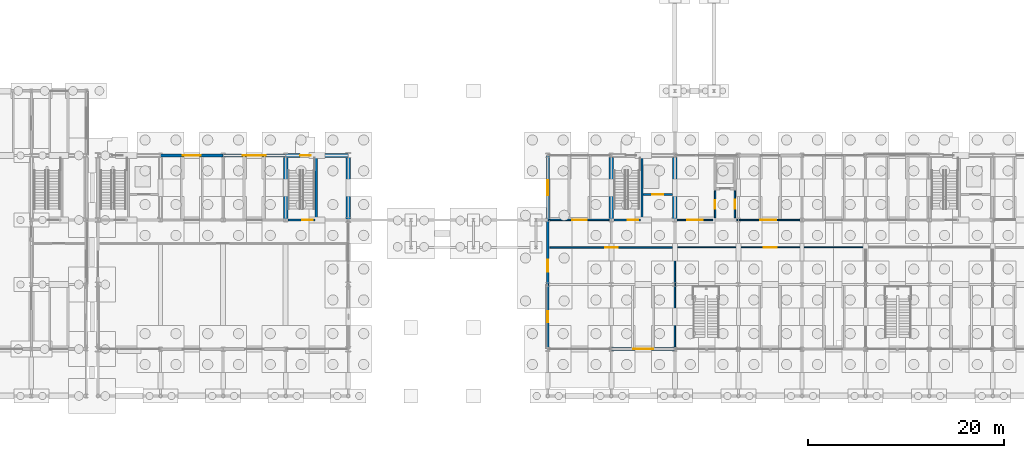
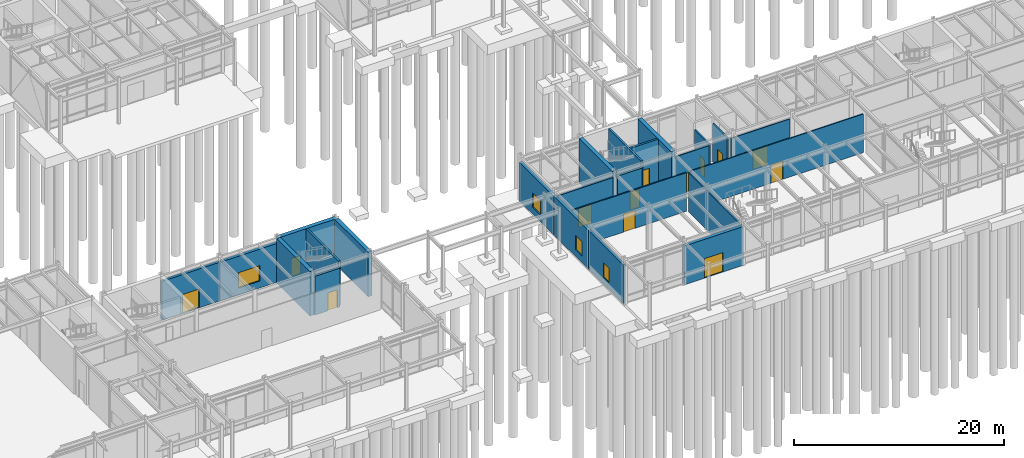
# One storey, part 69 of 82: 24 walls, 13 doors, 4 windows, 17 openings.
"""IFC4 building model written with IfcOpenShell, lengths in metres."""

from ifc_helpers import new_model, si_unit, direction, frame, frame_2d, origin, place, context, subcontext, project, spatial, rectangle, extrude, material, layer, layer_set, type_object, element, fill, save


model = new_model("IFC4")

# Units and contexts
model_context = context("Model", 3, precision=1e-05, world=origin(), true_north=direction((0.0, 1.0)))
body_context = subcontext(model_context, "Body", "Model", "MODEL_VIEW")
ifc_project = project(units=[si_unit("LENGTHUNIT", "METRE"), si_unit("AREAUNIT", "SQUARE_METRE"), si_unit("VOLUMEUNIT", "CUBIC_METRE"), si_unit("PLANEANGLEUNIT", "RADIAN"), si_unit("MASSUNIT", "GRAM", prefix="KILO")], contexts=[model_context])

# Site, building, storey
site_placement = place(None, origin())
site = spatial("IfcSite", under=ifc_project, at=site_placement, CompositionType="ELEMENT")
building_placement = place(site_placement, origin())
building = spatial("IfcBuilding", under=site, at=building_placement, Name="Trelmorton Wharf Fire Station", CompositionType="ELEMENT")
storey_placement = place(building_placement, origin())
storey = spatial("IfcBuildingStorey", under=building, at=storey_placement, Name="L00", CompositionType="ELEMENT", Elevation=0.0)

# Wall, opening, window
ifc_material_1 = material(Name="Precast concrete 45 MPa", Category="concrete")
ifc_layer_1 = layer(ifc_material_1, 0.22998046875)
ifc_layer_set_1 = layer_set([ifc_layer_1], Name="Precast concrete 45 MPa")
wall_type_1 = type_object("IfcWallType", Name="EW_PREC_230", PredefinedType="SOLIDWALL", material=ifc_layer_set_1)
wall_1_placement = place(storey_placement, frame((104.0, 7.804931640625, 0.0), z_axis=(0.0, 0.0, 1.0), x_axis=(0.0, 1.0, 0.0)))
wall_1 = element("IfcWall", 1, at=wall_1_placement, inside=storey, type_object=wall_type_1, Name="EW-V5-L00-0072", PredefinedType="SOLIDWALL", context=body_context, shape_type="SweptSolid", body=[
    extrude(rectangle(XDim=6.590087890625, YDim=0.22998046875, at=frame_2d((3.294921875, 0.0))), origin(), (0.0, 0.0, 1.0), 4.52001953125),
])
opening_1_placement = place(wall_1_placement, frame((2.7451171875, 0.0, 0.800048828125)))
opening_1 = element("IfcOpeningElement", 2, at=opening_1_placement, cuts=wall_1, Name="Opening W37", PredefinedType="OPENING", context=body_context, shape_type="SweptSolid", body=[
    extrude(rectangle(XDim=1.10009765625, YDim=1.64990234375, at=frame_2d((0.550048828125, 0.824951171875))), frame((0.0, 0.125, 0.0), z_axis=(0.0, -1.0, 0.0), x_axis=(1.0, 0.0, 0.0)), (0.0, 0.0, 1.0), 0.25),
])
ifc_material_2 = material(Name="Tempered low-E double glazing", Category="glass")
window_type_1 = type_object("IfcWindowType", Name="WIN_W37", PartitioningType="SINGLE_PANEL", PredefinedType="WINDOW", material=ifc_material_2)
window_1_placement = place(opening_1_placement, origin())
window_1 = element("IfcWindow", 3, at=window_1_placement, inside=storey, type_object=window_type_1, Name="WN-V5-L00-0026", OverallHeight=1.64990234375, OverallWidth=1.10009765625, PartitioningType="SINGLE_PANEL", PredefinedType="WINDOW", context=body_context, shape_type="SweptSolid", body=[
    extrude(rectangle(XDim=1.10009765625, YDim=1.64990234375, at=frame_2d((0.550048828125, 0.824951171875))), frame((0.0, 0.030029296875, 0.0), z_axis=(0.0, -1.0, 0.0), x_axis=(1.0, 0.0, 0.0)), (0.0, 0.0, 1.0), 0.06005859375),
])
fill(opening_1, window_1)

# Wall, opening, door
ifc_layer_2 = layer(ifc_material_1, 0.27001953125)
ifc_layer_set_2 = layer_set([ifc_layer_2], Name="Precast concrete 45 MPa")
wall_type_2 = type_object("IfcWallType", Name="EW_PREC_270", PredefinedType="SOLIDWALL", material=ifc_layer_set_2)
wall_2_placement = place(storey_placement, frame((64.405029296875, 27.60009765625, 0.0), z_axis=(0.0, 0.0, 1.0), x_axis=(1.0, 0.0, 0.0)))
wall_2 = element("IfcWall", 4, at=wall_2_placement, inside=storey, type_object=wall_type_2, Name="EW-V3-L00-0038", PredefinedType="SOLIDWALL", context=body_context, shape_type="SweptSolid", body=[
    extrude(rectangle(XDim=6.389892578125, YDim=0.27001953125, at=frame_2d((3.19482421875, 0.0))), origin(), (0.0, 0.0, 1.0), 4.52001953125),
])
opening_2_placement = place(wall_2_placement, frame((2.284912109375, 0.0, 0.0)))
opening_2 = element("IfcOpeningElement", 5, at=opening_2_placement, cuts=wall_2, Name="Opening E-007", PredefinedType="OPENING", context=body_context, shape_type="SweptSolid", body=[
    extrude(rectangle(XDim=1.820068359375, YDim=2.199951171875, at=frame_2d((0.91015625, 1.10009765625))), frame((0.0, 0.14501953125, 0.0), z_axis=(0.0, -1.0, 0.0), x_axis=(1.0, 0.0, 0.0)), (0.0, 0.0, 1.0), 0.2900390625),
])
ifc_material_3 = material(Name="Anodised aluminium AW-6063", Category="aluminium")
door_type_1 = type_object("IfcDoorType", Name="DR_EXT_DBL_182", OperationType="DOUBLE_DOOR_SINGLE_SWING", PredefinedType="DOOR", material=ifc_material_3)
door_1_placement = place(opening_2_placement, origin())
door_1 = element("IfcDoor", 6, at=door_1_placement, inside=storey, type_object=door_type_1, Name="Final Exit Door E-007", OperationType="DOUBLE_DOOR_SINGLE_SWING", OverallHeight=2.199951171875, OverallWidth=1.820068359375, PredefinedType="DOOR", context=body_context, shape_type="SweptSolid", body=[
    extrude(rectangle(XDim=1.820068359375, YDim=2.199951171875, at=frame_2d((0.91015625, 1.10009765625))), frame((0.0, 0.02490234375, 0.0), z_axis=(0.0, -1.0, 0.0), x_axis=(1.0, 0.0, 0.0)), (0.0, 0.0, 1.0), 0.050048828125),
])
fill(opening_2, door_1)

# Wall, opening, window
wall_3_placement = place(storey_placement, frame((104.0, 14.405029296875, 0.0), z_axis=(0.0, 0.0, 1.0), x_axis=(0.0, 1.0, 0.0)))
wall_3 = element("IfcWall", 7, at=wall_3_placement, inside=storey, type_object=wall_type_2, Name="EW-V5-L00-0074", PredefinedType="SOLIDWALL", context=body_context, shape_type="SweptSolid", body=[
    extrude(rectangle(XDim=6.590087890625, YDim=0.27001953125, at=frame_2d((3.294921875, 0.0))), origin(), (0.0, 0.0, 1.0), 4.52001953125),
])
opening_3_placement = place(wall_3_placement, frame((1.28759765625, 0.0, 0.800048828125)))
opening_3 = element("IfcOpeningElement", 8, at=opening_3_placement, cuts=wall_3, Name="Opening W38", PredefinedType="OPENING", context=body_context, shape_type="SweptSolid", body=[
    extrude(rectangle(XDim=1.25, YDim=1.64990234375, at=frame_2d((0.625, 0.824951171875))), frame((0.0, 0.14501953125, 0.0), z_axis=(0.0, -1.0, 0.0), x_axis=(1.0, 0.0, 0.0)), (0.0, 0.0, 1.0), 0.2900390625),
])
window_type_2 = type_object("IfcWindowType", Name="WIN_W38", PartitioningType="SINGLE_PANEL", PredefinedType="WINDOW", material=ifc_material_2)
window_2_placement = place(opening_3_placement, origin())
window_2 = element("IfcWindow", 9, at=window_2_placement, inside=storey, type_object=window_type_2, Name="WN-V5-L00-0027", OverallHeight=1.64990234375, OverallWidth=1.25, PartitioningType="SINGLE_PANEL", PredefinedType="WINDOW", context=body_context, shape_type="SweptSolid", body=[
    extrude(rectangle(XDim=1.25, YDim=1.64990234375, at=frame_2d((0.625, 0.824951171875))), frame((0.0, 0.030029296875, 0.0), z_axis=(0.0, -1.0, 0.0), x_axis=(1.0, 0.0, 0.0)), (0.0, 0.0, 1.0), 0.06005859375),
])
fill(opening_3, window_2)

ifc_layer_3 = layer(ifc_material_1, 0.31005859375)
ifc_layer_set_3 = layer_set([ifc_layer_3], Name="Precast concrete 45 MPa")
wall_type_3 = type_object("IfcWallType", Name="EW_TERR_310", PredefinedType="SOLIDWALL", material=ifc_layer_set_3)
wall_4_placement = place(storey_placement, frame((70.804931640625, 27.60009765625, 0.0), z_axis=(0.0, 0.0, 1.0), x_axis=(1.0, 0.0, 0.0)))
wall_4 = element("IfcWall", 10, at=wall_4_placement, inside=storey, type_object=wall_type_3, Name="EW-V3-L00-0040", PredefinedType="SOLIDWALL", context=body_context, shape_type="SweptSolid", body=[
    extrude(rectangle(XDim=6.39013671875, YDim=0.31005859375, at=frame_2d((3.195068359375, 0.0))), origin(), (0.0, 0.0, 1.0), 4.52001953125),
])
opening_4_placement = place(wall_4_placement, frame((2.02001953125, 0.0, 0.800048828125)))
opening_4 = element("IfcOpeningElement", 11, at=opening_4_placement, cuts=wall_4, Name="Opening W13", PredefinedType="OPENING", context=body_context, shape_type="SweptSolid", body=[
    extrude(rectangle(XDim=2.35009765625, YDim=1.800048828125, at=frame_2d((1.175048828125, 0.89990234375))), frame((0.0, 0.1650390625, 0.0), z_axis=(0.0, -1.0, 0.0), x_axis=(1.0, 0.0, 0.0)), (0.0, 0.0, 1.0), 0.330078125),
])
window_type_3 = type_object("IfcWindowType", Name="WIN_W13", PartitioningType="DOUBLE_PANEL_VERTICAL", PredefinedType="WINDOW", material=ifc_material_2)
window_3_placement = place(opening_4_placement, origin())
window_3 = element("IfcWindow", 12, at=window_3_placement, inside=storey, type_object=window_type_3, Name="WN-V3-L00-0012", OverallHeight=1.800048828125, OverallWidth=2.35009765625, PartitioningType="DOUBLE_PANEL_VERTICAL", PredefinedType="WINDOW", context=body_context, shape_type="SweptSolid", body=[
    extrude(rectangle(XDim=2.35009765625, YDim=1.800048828125, at=frame_2d((1.175048828125, 0.89990234375))), frame((0.0, 0.030029296875, 0.0), z_axis=(0.0, -1.0, 0.0), x_axis=(1.0, 0.0, 0.0)), (0.0, 0.0, 1.0), 0.06005859375),
])
fill(opening_4, window_3)

wall_5_placement = place(storey_placement, frame((104.0, 21.0048828125, 0.0), z_axis=(0.0, 0.0, 1.0), x_axis=(0.0, 1.0, 0.0)))
wall_5 = element("IfcWall", 13, at=wall_5_placement, inside=storey, type_object=wall_type_3, Name="EW-V5-L00-0076", PredefinedType="SOLIDWALL", context=body_context, shape_type="SweptSolid", body=[
    extrude(rectangle(XDim=6.590087890625, YDim=0.31005859375, at=frame_2d((3.294921875, 0.0))), origin(), (0.0, 0.0, 1.0), 4.52001953125),
])
opening_5_placement = place(wall_5_placement, frame((2.52001953125, 0.0, 0.800048828125)))
opening_5 = element("IfcOpeningElement", 14, at=opening_5_placement, cuts=wall_5, Name="Opening W40", PredefinedType="OPENING", context=body_context, shape_type="SweptSolid", body=[
    extrude(rectangle(XDim=1.550048828125, YDim=1.64990234375, at=frame_2d((0.77490234375, 0.824951171875))), frame((0.0, 0.1650390625, 0.0), z_axis=(0.0, -1.0, 0.0), x_axis=(1.0, 0.0, 0.0)), (0.0, 0.0, 1.0), 0.330078125),
])
window_type_4 = type_object("IfcWindowType", Name="WIN_W40", PartitioningType="SINGLE_PANEL", PredefinedType="WINDOW", material=ifc_material_2)
window_4_placement = place(opening_5_placement, origin())
window_4 = element("IfcWindow", 15, at=window_4_placement, inside=storey, type_object=window_type_4, Name="WN-V5-L00-0029", OverallHeight=1.64990234375, OverallWidth=1.550048828125, PartitioningType="SINGLE_PANEL", PredefinedType="WINDOW", context=body_context, shape_type="SweptSolid", body=[
    extrude(rectangle(XDim=1.550048828125, YDim=1.64990234375, at=frame_2d((0.77490234375, 0.824951171875))), frame((0.0, 0.030029296875, 0.0), z_axis=(0.0, -1.0, 0.0), x_axis=(1.0, 0.0, 0.0)), (0.0, 0.0, 1.0), 0.06005859375),
])
fill(opening_5, window_4)

# Wall, opening, door
ifc_layer_4 = layer(ifc_material_1, 0.330078125)
ifc_layer_set_4 = layer_set([ifc_layer_4], Name="Precast concrete 45 MPa")
wall_type_4 = type_object("IfcWallType", Name="EW_TERR_330", PredefinedType="SOLIDWALL", material=ifc_layer_set_4)
wall_6_placement = place(storey_placement, frame((116.9951171875, 7.800048828125, 0.0), z_axis=(0.0, 0.0, 1.0), x_axis=(-1.0, 0.0, 0.0)))
wall_6 = element("IfcWall", 16, at=wall_6_placement, inside=storey, type_object=wall_type_4, Name="EW-V5-L00-0065", PredefinedType="SOLIDWALL", context=body_context, shape_type="SweptSolid", body=[
    extrude(rectangle(XDim=6.490234375, YDim=0.330078125, at=frame_2d((3.2451171875, 0.0))), origin(), (0.0, 0.0, 1.0), 4.52001953125),
])
opening_6_placement = place(wall_6_placement, frame((2.22509765625, 0.0, 0.0)))
opening_6 = element("IfcOpeningElement", 17, at=opening_6_placement, cuts=wall_6, Name="Opening E-010", PredefinedType="OPENING", context=body_context, shape_type="SweptSolid", body=[
    extrude(rectangle(XDim=2.0400390625, YDim=2.280029296875, at=frame_2d((1.02001953125, 1.14013671875))), frame((0.0, 0.175048828125, 0.0), z_axis=(0.0, -1.0, 0.0), x_axis=(1.0, 0.0, 0.0)), (0.0, 0.0, 1.0), 0.35009765625),
])
door_type_2 = type_object("IfcDoorType", Name="DR_EXT_DBL_204", OperationType="DOUBLE_DOOR_SINGLE_SWING", PredefinedType="DOOR", material=ifc_material_3)
door_2_placement = place(opening_6_placement, origin())
door_2 = element("IfcDoor", 18, at=door_2_placement, inside=storey, type_object=door_type_2, Name="Final Exit Door E-010", OperationType="DOUBLE_DOOR_SINGLE_SWING", OverallHeight=2.280029296875, OverallWidth=2.0400390625, PredefinedType="DOOR", context=body_context, shape_type="SweptSolid", body=[
    extrude(rectangle(XDim=2.0400390625, YDim=2.280029296875, at=frame_2d((1.02001953125, 1.14013671875))), frame((0.0, 0.02490234375, 0.0), z_axis=(0.0, -1.0, 0.0), x_axis=(1.0, 0.0, 0.0)), (0.0, 0.0, 1.0), 0.050048828125),
])
fill(opening_6, door_2)

ifc_material_4 = material(Name="Gypsum plasterboard partition")
ifc_layer_5 = layer(ifc_material_4, 0.14990234375)
ifc_layer_set_5 = layer_set([ifc_layer_5], Name="Gypsum plasterboard partition")
wall_type_5 = type_object("IfcWallType", Name="IW_ACOU_150", PredefinedType="PARTITIONING", material=ifc_layer_set_5)
wall_7_placement = place(storey_placement, frame((123.1298828125, 21.219970703125, 0.0), z_axis=(0.0, 0.0, 1.0), x_axis=(0.0, 1.0, 0.0)))
wall_7 = element("IfcWall", 19, at=wall_7_placement, inside=storey, type_object=wall_type_5, Name="IW-L00-0002", PredefinedType="PARTITIONING", context=body_context, shape_type="SweptSolid", body=[
    extrude(rectangle(XDim=2.760009765625, YDim=0.14990234375, at=frame_2d((1.3798828125, 0.0))), origin(), (0.0, 0.0, 1.0), 4.5),
])
opening_7_placement = place(wall_7_placement, frame((0.925048828125, 0.0, 0.0)))
opening_7 = element("IfcOpeningElement", 20, at=opening_7_placement, cuts=wall_7, Name="Opening D-002", PredefinedType="OPENING", context=body_context, shape_type="SweptSolid", body=[
    extrude(rectangle(XDim=0.909912109375, YDim=2.06005859375, at=frame_2d((0.455078125, 1.030029296875))), frame((0.0, 0.0849609375, 0.0), z_axis=(0.0, -1.0, 0.0), x_axis=(1.0, 0.0, 0.0)), (0.0, 0.0, 1.0), 0.169921875),
])
ifc_material_5 = material(Name="Acoustic timber panelling", Category="wood")
door_type_3 = type_object("IfcDoorType", Name="DR_INT_091", OperationType="NOTDEFINED", PredefinedType="DOOR", material=ifc_material_5)
door_3_placement = place(opening_7_placement, origin())
door_3 = element("IfcDoor", 21, at=door_3_placement, inside=storey, type_object=door_type_3, Name="Interior Door D-002", OperationType="SINGLE_SWING_RIGHT", OverallHeight=2.06005859375, OverallWidth=0.909912109375, PredefinedType="DOOR", context=body_context, shape_type="SweptSolid", body=[
    extrude(rectangle(XDim=0.909912109375, YDim=2.06005859375, at=frame_2d((0.455078125, 1.030029296875))), frame((0.0, 0.02490234375, 0.0), z_axis=(0.0, -1.0, 0.0), x_axis=(1.0, 0.0, 0.0)), (0.0, 0.0, 1.0), 0.050048828125),
])
fill(opening_7, door_3)

# Wall
wall_8_placement = place(storey_placement, frame((117.0, 8.02001953125, 0.0), z_axis=(0.0, 0.0, 1.0), x_axis=(0.0, 1.0, 0.0)))
element("IfcWall", 22, at=wall_8_placement, inside=storey, type_object=wall_type_5, Name="IW-L00-0016", PredefinedType="PARTITIONING", context=body_context, shape_type="SweptSolid", body=[
    extrude(rectangle(XDim=9.9599609375, YDim=0.14990234375, at=frame_2d((4.97998046875, 0.0))), origin(), (0.0, 0.0, 1.0), 4.5),
])

# Wall, opening, door
wall_9_placement = place(storey_placement, frame((104.219970703125, 21.0, 0.0), z_axis=(0.0, 0.0, 1.0), x_axis=(1.0, 0.0, 0.0)))
wall_9 = element("IfcWall", 23, at=wall_9_placement, inside=storey, type_object=wall_type_5, Name="IW-L00-0023", PredefinedType="PARTITIONING", context=body_context, shape_type="SweptSolid", body=[
    extrude(rectangle(XDim=6.06005859375, YDim=0.14990234375, at=frame_2d((3.030029296875, 0.0))), origin(), (0.0, 0.0, 1.0), 4.5),
])
opening_8_placement = place(wall_9_placement, frame((2.2900390625, 0.0, 0.0)))
opening_8 = element("IfcOpeningElement", 24, at=opening_8_placement, cuts=wall_9, Name="Opening D-016", PredefinedType="OPENING", context=body_context, shape_type="SweptSolid", body=[
    extrude(rectangle(XDim=1.47998046875, YDim=2.179931640625, at=frame_2d((0.739990234375, 1.08984375))), frame((0.0, 0.0849609375, 0.0), z_axis=(0.0, -1.0, 0.0), x_axis=(1.0, 0.0, 0.0)), (0.0, 0.0, 1.0), 0.169921875),
])
door_type_4 = type_object("IfcDoorType", Name="DR_INT_148", OperationType="DOUBLE_DOOR_SINGLE_SWING", PredefinedType="DOOR", material=ifc_material_5)
door_4_placement = place(opening_8_placement, origin())
door_4 = element("IfcDoor", 25, at=door_4_placement, inside=storey, type_object=door_type_4, Name="Interior Door D-016", OperationType="DOUBLE_DOOR_SINGLE_SWING", OverallHeight=2.179931640625, OverallWidth=1.47998046875, PredefinedType="DOOR", context=body_context, shape_type="SweptSolid", body=[
    extrude(rectangle(XDim=1.47998046875, YDim=2.179931640625, at=frame_2d((0.739990234375, 1.08984375))), frame((0.0, 0.02490234375, 0.0), z_axis=(0.0, -1.0, 0.0), x_axis=(1.0, 0.0, 0.0)), (0.0, 0.0, 1.0), 0.050048828125),
])
fill(opening_8, door_4)

ifc_layer_6 = layer(ifc_material_4, 0.159912109375)
ifc_layer_set_6 = layer_set([ifc_layer_6], Name="Gypsum plasterboard partition")
wall_type_6 = type_object("IfcWallType", Name="IW_ACOU_160", PredefinedType="PARTITIONING", material=ifc_layer_set_6)
wall_10_placement = place(storey_placement, frame((121.110107421875, 21.219970703125, 0.0), z_axis=(0.0, 0.0, 1.0), x_axis=(0.0, 1.0, 0.0)))
wall_10 = element("IfcWall", 26, at=wall_10_placement, inside=storey, type_object=wall_type_6, Name="IW-L00-0001", PredefinedType="PARTITIONING", context=body_context, shape_type="SweptSolid", body=[
    extrude(rectangle(XDim=2.760009765625, YDim=0.159912109375, at=frame_2d((1.3798828125, 0.0))), origin(), (0.0, 0.0, 1.0), 4.5),
])
opening_9_placement = place(wall_10_placement, frame((0.93994140625, 0.0, 0.0)))
opening_9 = element("IfcOpeningElement", 27, at=opening_9_placement, cuts=wall_10, Name="Opening D-001", PredefinedType="OPENING", context=body_context, shape_type="SweptSolid", body=[
    extrude(rectangle(XDim=0.8798828125, YDim=2.0400390625, at=frame_2d((0.43994140625, 1.02001953125))), frame((0.0, 0.08984375, 0.0), z_axis=(0.0, -1.0, 0.0), x_axis=(1.0, 0.0, 0.0)), (0.0, 0.0, 1.0), 0.179931640625),
])
door_type_5 = type_object("IfcDoorType", Name="DR_INT_088", OperationType="NOTDEFINED", PredefinedType="DOOR", material=ifc_material_5)
door_5_placement = place(opening_9_placement, origin())
door_5 = element("IfcDoor", 28, at=door_5_placement, inside=storey, type_object=door_type_5, Name="Interior Door D-001", OperationType="SINGLE_SWING_LEFT", OverallHeight=2.0400390625, OverallWidth=0.8798828125, PredefinedType="DOOR", context=body_context, shape_type="SweptSolid", body=[
    extrude(rectangle(XDim=0.8798828125, YDim=2.0400390625, at=frame_2d((0.43994140625, 1.02001953125))), frame((0.0, 0.02490234375, 0.0), z_axis=(0.0, -1.0, 0.0), x_axis=(1.0, 0.0, 0.0)), (0.0, 0.0, 1.0), 0.050048828125),
])
fill(opening_9, door_5)

# Wall
ifc_material_6 = material(Name="Concrete 40 MPa", Category="concrete")
ifc_layer_7 = layer(ifc_material_6, 0.219970703125)
ifc_layer_set_7 = layer_set([ifc_layer_7], Name="Concrete 40 MPa")
wall_type_7 = type_object("IfcWallType", Name="IW_CORE_220", PredefinedType="SOLIDWALL", material=ifc_layer_set_7)
wall_11_placement = place(storey_placement, frame((80.320068359375, 21.1201171875, 0.0), z_axis=(0.0, 0.0, 1.0), x_axis=(0.0, 1.0, 0.0)))
element("IfcWall", 29, at=wall_11_placement, inside=storey, type_object=wall_type_7, Name="IW-C2B-DIV-L00", PredefinedType="SOLIDWALL", context=body_context, shape_type="SweptSolid", body=[
    extrude(rectangle(XDim=6.2548828125, YDim=0.219970703125, at=frame_2d((3.12744140625, 0.0))), origin(), (0.0, 0.0, 1.0), 5.159912109375),
])

# Wall, opening, door
wall_12_placement = place(storey_placement, frame((77.4599609375, 21.0, 0.0), z_axis=(0.0, 0.0, 1.0), x_axis=(1.0, 0.0, 0.0)))
wall_12 = element("IfcWall", 30, at=wall_12_placement, inside=storey, type_object=wall_type_7, Name="IW-C2B-SF-L00", PredefinedType="SOLIDWALL", context=body_context, shape_type="SweptSolid", body=[
    extrude(rectangle(XDim=2.739990234375, YDim=0.219970703125, at=frame_2d((1.3701171875, 0.0))), origin(), (0.0, 0.0, 1.0), 4.52001953125),
])
opening_10_placement = place(wall_12_placement, frame((1.43994140625, 0.0, 0.0)))
opening_10 = element("IfcOpeningElement", 31, at=opening_10_placement, cuts=wall_12, Name="Opening FD-007", PredefinedType="OPENING", context=body_context, shape_type="SweptSolid", body=[
    extrude(rectangle(XDim=1.06005859375, YDim=2.10009765625, at=frame_2d((0.530029296875, 1.050048828125))), frame((0.0, 0.1201171875, 0.0), z_axis=(0.0, -1.0, 0.0), x_axis=(1.0, 0.0, 0.0)), (0.0, 0.0, 1.0), 0.239990234375),
])
ifc_material_7 = material(Name="Stainless steel 316 marine grade", Category="steel")
door_type_6 = type_object("IfcDoorType", Name="DR_FIRE_106", OperationType="NOTDEFINED", PredefinedType="DOOR", material=ifc_material_7)
door_6_placement = place(opening_10_placement, origin())
door_6 = element("IfcDoor", 32, at=door_6_placement, inside=storey, type_object=door_type_6, Name="Stair Fire Door FD-007", OperationType="SINGLE_SWING_RIGHT", OverallHeight=2.10009765625, OverallWidth=1.06005859375, PredefinedType="DOOR", context=body_context, shape_type="SweptSolid", body=[
    extrude(rectangle(XDim=1.06005859375, YDim=2.10009765625, at=frame_2d((0.530029296875, 1.050048828125))), frame((0.0, 0.02490234375, 0.0), z_axis=(0.0, -1.0, 0.0), x_axis=(1.0, 0.0, 0.0)), (0.0, 0.0, 1.0), 0.050048828125),
])
fill(opening_10, door_6)

# Wall
wall_13_placement = place(storey_placement, frame((113.6201171875, 21.1201171875, 0.0), z_axis=(0.0, 0.0, 1.0), x_axis=(0.0, 1.0, 0.0)))
element("IfcWall", 33, at=wall_13_placement, inside=storey, type_object=wall_type_7, Name="IW-C3-DIV-L00", PredefinedType="SOLIDWALL", context=body_context, shape_type="SweptSolid", body=[
    extrude(rectangle(XDim=6.2548828125, YDim=0.219970703125, at=frame_2d((3.12744140625, 0.0))), origin(), (0.0, 0.0, 1.0), 5.159912109375),
])

# Wall, opening, door
wall_14_placement = place(storey_placement, frame((110.760009765625, 21.0, 0.0), z_axis=(0.0, 0.0, 1.0), x_axis=(1.0, 0.0, 0.0)))
wall_14 = element("IfcWall", 34, at=wall_14_placement, inside=storey, type_object=wall_type_7, Name="IW-C3-SF-L00", PredefinedType="SOLIDWALL", context=body_context, shape_type="SweptSolid", body=[
    extrude(rectangle(XDim=2.739990234375, YDim=0.219970703125, at=frame_2d((1.3701171875, 0.0))), origin(), (0.0, 0.0, 1.0), 4.52001953125),
])
opening_11_placement = place(wall_14_placement, frame((1.43994140625, 0.0, 0.0)))
opening_11 = element("IfcOpeningElement", 35, at=opening_11_placement, cuts=wall_14, Name="Opening FD-011", PredefinedType="OPENING", context=body_context, shape_type="SweptSolid", body=[
    extrude(rectangle(XDim=1.06005859375, YDim=2.10009765625, at=frame_2d((0.530029296875, 1.050048828125))), frame((0.0, 0.1201171875, 0.0), z_axis=(0.0, -1.0, 0.0), x_axis=(1.0, 0.0, 0.0)), (0.0, 0.0, 1.0), 0.239990234375),
])
door_7_placement = place(opening_11_placement, origin())
door_7 = element("IfcDoor", 36, at=door_7_placement, inside=storey, type_object=door_type_6, Name="Stair Fire Door FD-011", OperationType="SINGLE_SWING_LEFT", OverallHeight=2.10009765625, OverallWidth=1.06005859375, PredefinedType="DOOR", context=body_context, shape_type="SweptSolid", body=[
    extrude(rectangle(XDim=1.06005859375, YDim=2.10009765625, at=frame_2d((0.530029296875, 1.050048828125))), frame((0.0, 0.02490234375, 0.0), z_axis=(0.0, -1.0, 0.0), x_axis=(1.0, 0.0, 0.0)), (0.0, 0.0, 1.0), 0.050048828125),
])
fill(opening_11, door_7)

wall_15_placement = place(storey_placement, frame((113.739990234375, 23.60009765625, 0.0), z_axis=(0.0, 0.0, 1.0), x_axis=(1.0, 0.0, 0.0)))
wall_15 = element("IfcWall", 37, at=wall_15_placement, inside=storey, type_object=wall_type_7, Name="IW-C3-LSH-L00", PredefinedType="SOLIDWALL", context=body_context, shape_type="SweptSolid", body=[
    extrude(rectangle(XDim=3.034912109375, YDim=0.219970703125, at=frame_2d((1.517578125, 0.0))), origin(), (0.0, 0.0, 1.0), 5.159912109375),
])
opening_12_placement = place(wall_15_placement, frame((0.967529296875, 0.0, 0.0)))
opening_12 = element("IfcOpeningElement", 38, at=opening_12_placement, cuts=wall_15, Name="Opening LD-005", PredefinedType="OPENING", context=body_context, shape_type="SweptSolid", body=[
    extrude(rectangle(XDim=1.10009765625, YDim=2.10009765625, at=frame_2d((0.550048828125, 1.050048828125))), frame((0.0, 0.1201171875, 0.0), z_axis=(0.0, -1.0, 0.0), x_axis=(1.0, 0.0, 0.0)), (0.0, 0.0, 1.0), 0.239990234375),
])
door_type_7 = type_object("IfcDoorType", Name="DR_LIFT_110", OperationType="DOUBLE_DOOR_SLIDING", PredefinedType="DOOR", material=ifc_material_7)
door_8_placement = place(opening_12_placement, origin())
door_8 = element("IfcDoor", 39, at=door_8_placement, inside=storey, type_object=door_type_7, Name="Lift Landing Door LD-005", OperationType="DOUBLE_DOOR_SLIDING", OverallHeight=2.10009765625, OverallWidth=1.10009765625, PredefinedType="DOOR", context=body_context, shape_type="SweptSolid", body=[
    extrude(rectangle(XDim=1.10009765625, YDim=2.10009765625, at=frame_2d((0.550048828125, 1.050048828125))), frame((0.0, 0.02490234375, 0.0), z_axis=(0.0, -1.0, 0.0), x_axis=(1.0, 0.0, 0.0)), (0.0, 0.0, 1.0), 0.050048828125),
])
fill(opening_12, door_8)

ifc_layer_8 = layer(ifc_material_4, 0.1298828125)
ifc_layer_set_8 = layer_set([ifc_layer_8], Name="Gypsum plasterboard partition")
wall_type_8 = type_object("IfcWallType", Name="IW_PART_130", PredefinedType="PARTITIONING", material=ifc_layer_set_8)
wall_16_placement = place(storey_placement, frame((123.35009765625, 21.0, 0.0), z_axis=(0.0, 0.0, 1.0), x_axis=(1.0, 0.0, 0.0)))
wall_16 = element("IfcWall", 40, at=wall_16_placement, inside=storey, type_object=wall_type_8, Name="IW-L00-0025", PredefinedType="PARTITIONING", context=body_context, shape_type="SweptSolid", body=[
    extrude(rectangle(XDim=6.429931640625, YDim=0.1298828125, at=frame_2d((3.21484375, 0.0))), origin(), (0.0, 0.0, 1.0), 4.5),
])
opening_13_placement = place(wall_16_placement, frame((2.39501953125, 0.0, 0.0)))
opening_13 = element("IfcOpeningElement", 41, at=opening_13_placement, cuts=wall_16, Name="Opening D-018", PredefinedType="OPENING", context=body_context, shape_type="SweptSolid", body=[
    extrude(rectangle(XDim=1.639892578125, YDim=2.199951171875, at=frame_2d((0.81982421875, 1.10009765625))), frame((0.0, 0.074951171875, 0.0), z_axis=(0.0, -1.0, 0.0), x_axis=(1.0, 0.0, 0.0)), (0.0, 0.0, 1.0), 0.14990234375),
])
door_type_8 = type_object("IfcDoorType", Name="DR_INT_164", OperationType="DOUBLE_DOOR_SINGLE_SWING", PredefinedType="DOOR", material=ifc_material_5)
door_9_placement = place(opening_13_placement, origin())
door_9 = element("IfcDoor", 42, at=door_9_placement, inside=storey, type_object=door_type_8, Name="Interior Door D-018", OperationType="DOUBLE_DOOR_SINGLE_SWING", OverallHeight=2.199951171875, OverallWidth=1.639892578125, PredefinedType="DOOR", context=body_context, shape_type="SweptSolid", body=[
    extrude(rectangle(XDim=1.639892578125, YDim=2.199951171875, at=frame_2d((0.81982421875, 1.10009765625))), frame((0.0, 0.02490234375, 0.0), z_axis=(0.0, -1.0, 0.0), x_axis=(1.0, 0.0, 0.0)), (0.0, 0.0, 1.0), 0.050048828125),
])
fill(opening_13, door_9)

ifc_layer_9 = layer(ifc_material_4, 0.139892578125)
ifc_layer_set_9 = layer_set([ifc_layer_9], Name="Gypsum plasterboard partition")
wall_type_9 = type_object("IfcWallType", Name="IW_PART_140", PredefinedType="PARTITIONING", material=ifc_layer_set_9)
wall_17_placement = place(storey_placement, frame((104.219970703125, 18.199951171875, 0.0), z_axis=(0.0, 0.0, 1.0), x_axis=(1.0, 0.0, 0.0)))
wall_17 = element("IfcWall", 43, at=wall_17_placement, inside=storey, type_object=wall_type_9, Name="IW-L00-0017", PredefinedType="PARTITIONING", context=body_context, shape_type="SweptSolid", body=[
    extrude(rectangle(XDim=12.56005859375, YDim=0.139892578125, at=frame_2d((6.280029296875, 0.0))), origin(), (0.0, 0.0, 1.0), 4.5),
])
opening_14_placement = place(wall_17_placement, frame((5.64501953125, 0.0, 0.0)))
opening_14 = element("IfcOpeningElement", 44, at=opening_14_placement, cuts=wall_17, Name="Opening D-012", PredefinedType="OPENING", context=body_context, shape_type="SweptSolid", body=[
    extrude(rectangle(XDim=1.27001953125, YDim=2.10009765625, at=frame_2d((0.635009765625, 1.050048828125))), frame((0.0, 0.080078125, 0.0), z_axis=(0.0, -1.0, 0.0), x_axis=(1.0, 0.0, 0.0)), (0.0, 0.0, 1.0), 0.159912109375),
])
door_type_9 = type_object("IfcDoorType", Name="DR_INT_127", OperationType="NOTDEFINED", PredefinedType="DOOR", material=ifc_material_5)
door_10_placement = place(opening_14_placement, origin())
door_10 = element("IfcDoor", 45, at=door_10_placement, inside=storey, type_object=door_type_9, Name="Interior Door D-012", OperationType="SINGLE_SWING_RIGHT", OverallHeight=2.10009765625, OverallWidth=1.27001953125, PredefinedType="DOOR", context=body_context, shape_type="SweptSolid", body=[
    extrude(rectangle(XDim=1.27001953125, YDim=2.10009765625, at=frame_2d((0.635009765625, 1.050048828125))), frame((0.0, 0.02490234375, 0.0), z_axis=(0.0, -1.0, 0.0), x_axis=(1.0, 0.0, 0.0)), (0.0, 0.0, 1.0), 0.050048828125),
])
fill(opening_14, door_10)

wall_18_placement = place(storey_placement, frame((117.219970703125, 21.0, 0.0), z_axis=(0.0, 0.0, 1.0), x_axis=(1.0, 0.0, 0.0)))
wall_18 = element("IfcWall", 46, at=wall_18_placement, inside=storey, type_object=wall_type_9, Name="IW-L00-0024", PredefinedType="PARTITIONING", context=body_context, shape_type="SweptSolid", body=[
    extrude(rectangle(XDim=3.669921875, YDim=0.139892578125, at=frame_2d((1.8349609375, 0.0))), origin(), (0.0, 0.0, 1.0), 4.5),
])
opening_15_placement = place(wall_18_placement, frame((1.054931640625, 0.0, 0.0)))
opening_15 = element("IfcOpeningElement", 47, at=opening_15_placement, cuts=wall_18, Name="Opening D-017", PredefinedType="OPENING", context=body_context, shape_type="SweptSolid", body=[
    extrude(rectangle(XDim=1.56005859375, YDim=2.179931640625, at=frame_2d((0.780029296875, 1.08984375))), frame((0.0, 0.080078125, 0.0), z_axis=(0.0, -1.0, 0.0), x_axis=(1.0, 0.0, 0.0)), (0.0, 0.0, 1.0), 0.159912109375),
])
door_type_10 = type_object("IfcDoorType", Name="DR_INT_156", OperationType="DOUBLE_DOOR_SINGLE_SWING", PredefinedType="DOOR", material=ifc_material_5)
door_11_placement = place(opening_15_placement, origin())
door_11 = element("IfcDoor", 48, at=door_11_placement, inside=storey, type_object=door_type_10, Name="Interior Door D-017", OperationType="DOUBLE_DOOR_SINGLE_SWING", OverallHeight=2.179931640625, OverallWidth=1.56005859375, PredefinedType="DOOR", context=body_context, shape_type="SweptSolid", body=[
    extrude(rectangle(XDim=1.56005859375, YDim=2.179931640625, at=frame_2d((0.780029296875, 1.08984375))), frame((0.0, 0.02490234375, 0.0), z_axis=(0.0, -1.0, 0.0), x_axis=(1.0, 0.0, 0.0)), (0.0, 0.0, 1.0), 0.050048828125),
])
fill(opening_15, door_11)

ifc_layer_10 = layer(ifc_material_4, 0.1201171875)
ifc_layer_set_10 = layer_set([ifc_layer_10], Name="Gypsum plasterboard partition")
wall_type_10 = type_object("IfcWallType", Name="IW_WET_120", PredefinedType="PARTITIONING", material=ifc_layer_set_10)
wall_19_placement = place(storey_placement, frame((117.219970703125, 18.199951171875, 0.0), z_axis=(0.0, 0.0, 1.0), x_axis=(1.0, 0.0, 0.0)))
wall_19 = element("IfcWall", 49, at=wall_19_placement, inside=storey, type_object=wall_type_10, Name="IW-L00-0019", PredefinedType="PARTITIONING", context=body_context, shape_type="SweptSolid", body=[
    extrude(rectangle(XDim=19.06005859375, YDim=0.1201171875, at=frame_2d((9.530029296875, 0.0))), origin(), (0.0, 0.0, 1.0), 4.5),
])
opening_16_placement = place(wall_19_placement, frame((8.875, 0.0, 0.0)))
opening_16 = element("IfcOpeningElement", 50, at=opening_16_placement, cuts=wall_19, Name="Opening D-013", PredefinedType="OPENING", context=body_context, shape_type="SweptSolid", body=[
    extrude(rectangle(XDim=1.31005859375, YDim=2.139892578125, at=frame_2d((0.655029296875, 1.06982421875))), frame((0.0, 0.070068359375, 0.0), z_axis=(0.0, -1.0, 0.0), x_axis=(1.0, 0.0, 0.0)), (0.0, 0.0, 1.0), 0.14013671875),
])
door_type_11 = type_object("IfcDoorType", Name="DR_INT_131", OperationType="NOTDEFINED", PredefinedType="DOOR", material=ifc_material_5)
door_12_placement = place(opening_16_placement, origin())
door_12 = element("IfcDoor", 51, at=door_12_placement, inside=storey, type_object=door_type_11, Name="Interior Door D-013", OperationType="SINGLE_SWING_LEFT", OverallHeight=2.139892578125, OverallWidth=1.31005859375, PredefinedType="DOOR", context=body_context, shape_type="SweptSolid", body=[
    extrude(rectangle(XDim=1.31005859375, YDim=2.139892578125, at=frame_2d((0.655029296875, 1.06982421875))), frame((0.0, 0.02490234375, 0.0), z_axis=(0.0, -1.0, 0.0), x_axis=(1.0, 0.0, 0.0)), (0.0, 0.0, 1.0), 0.050048828125),
])
fill(opening_16, door_12)

ifc_material_8 = material(Name="Concrete 50 MPa", Category="concrete")
ifc_layer_11 = layer(ifc_material_8, 0.43994140625)
ifc_layer_set_11 = layer_set([ifc_layer_11], Name="Concrete 50 MPa")
wall_type_11 = type_object("IfcWallType", Name="WL_CORE_440", PredefinedType="SHEAR", material=ifc_layer_set_11)
wall_20_placement = place(storey_placement, frame((77.199951171875, 27.60009765625, 0.0), z_axis=(0.0, 0.0, 1.0), x_axis=(1.0, 0.0, 0.0)))
wall_20 = element("IfcWall", 52, at=wall_20_placement, inside=storey, type_object=wall_type_11, Name="WL-SW-C2B-L00-019", PredefinedType="SHEAR", context=body_context, shape_type="SweptSolid", body=[
    extrude(rectangle(XDim=6.400146484375, YDim=0.43994140625, at=frame_2d((3.2001953125, 0.0))), origin(), (0.0, 0.0, 1.0), 5.159912109375),
])
opening_17_placement = place(wall_20_placement, frame((1.47998046875, 0.0, 0.0)))
opening_17 = element("IfcOpeningElement", 53, at=opening_17_placement, cuts=wall_20, Name="Opening E-102", PredefinedType="OPENING", context=body_context, shape_type="SweptSolid", body=[
    extrude(rectangle(XDim=1.06005859375, YDim=2.1201171875, at=frame_2d((0.530029296875, 1.06005859375))), frame((0.0, 0.22998046875, 0.0), z_axis=(0.0, -1.0, 0.0), x_axis=(1.0, 0.0, 0.0)), (0.0, 0.0, 1.0), 0.4599609375),
])
door_type_12 = type_object("IfcDoorType", Name="DR_EXIT_106", OperationType="NOTDEFINED", PredefinedType="DOOR", material=ifc_material_7)
door_13_placement = place(opening_17_placement, origin())
door_13 = element("IfcDoor", 54, at=door_13_placement, inside=storey, type_object=door_type_12, Name="Final Exit Door E-102", OperationType="SINGLE_SWING_LEFT", OverallHeight=2.1201171875, OverallWidth=1.06005859375, PredefinedType="DOOR", context=body_context, shape_type="SweptSolid", body=[
    extrude(rectangle(XDim=1.06005859375, YDim=2.1201171875, at=frame_2d((0.530029296875, 1.06005859375))), frame((0.0, 0.02490234375, 0.0), z_axis=(0.0, -1.0, 0.0), x_axis=(1.0, 0.0, 0.0)), (0.0, 0.0, 1.0), 0.050048828125),
])
fill(opening_17, door_13)

# Walls
for number, where, z_axis, x_axis, name in (
    (55, (77.199951171875, 21.0, 0.0), (0.0, 0.0, 1.0), (0.0, 1.0, 0.0), "WL-SW-C2B-L00-020"),
    (56, (83.60009765625, 21.0, 0.0), (0.0, 0.0, 1.0), (0.0, 1.0, 0.0), "WL-SW-C2B-L00-021"),
    (57, (110.5, 21.0, 0.0), (0.0, 0.0, 1.0), (0.0, 1.0, 0.0), "WL-SW-C3-L00-032"),
    (58, (117.0, 21.0, 0.0), (0.0, 0.0, 1.0), (0.0, 1.0, 0.0), "WL-SW-C3-L00-033"),
):
    element("IfcWall", number, at=place(storey_placement, frame(where, z_axis=z_axis, x_axis=x_axis)), inside=storey, type_object=wall_type_11, Name=name, PredefinedType="SHEAR", context=body_context, shape_type="SweptSolid", body=[
        extrude(rectangle(XDim=6.3798828125, YDim=0.43994140625, at=frame_2d((3.18994140625, 0.0))), origin(), (0.0, 0.0, 1.0), 5.159912109375),
    ])

save(model, "model.ifc")
